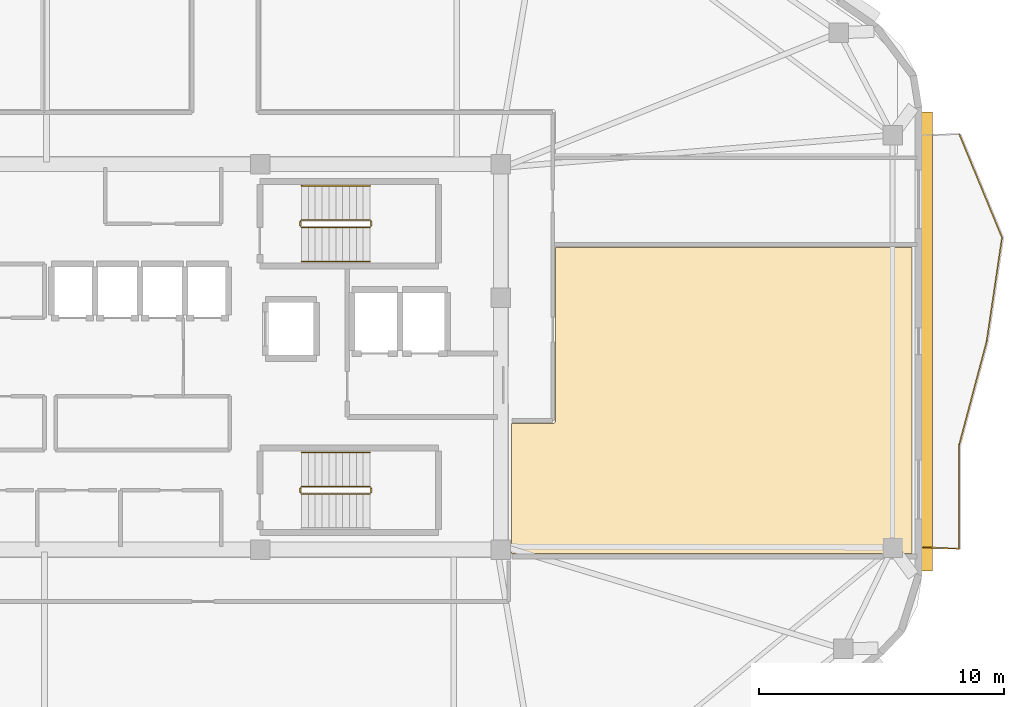
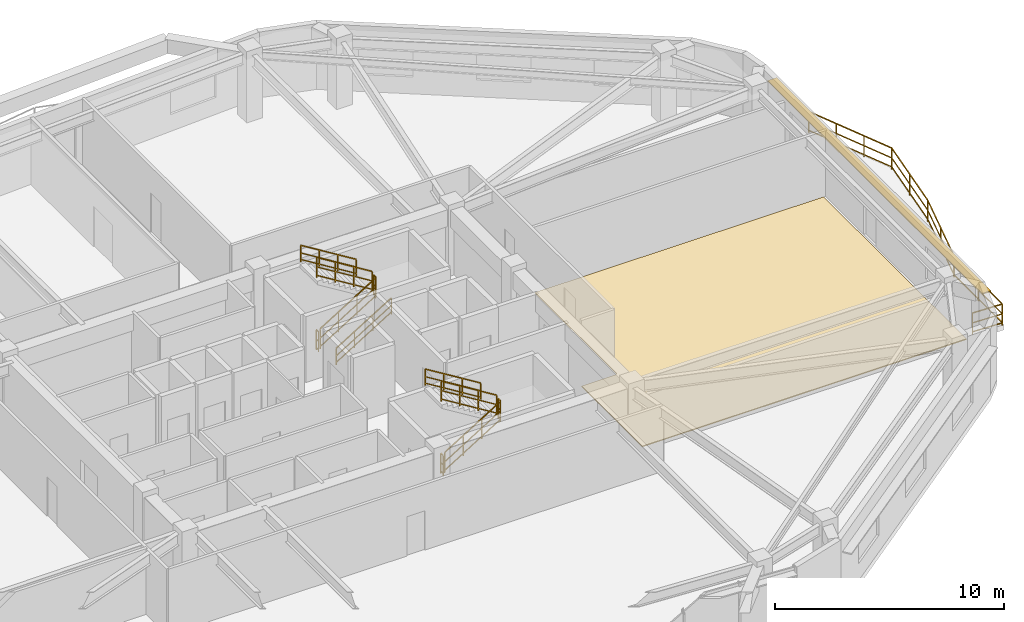
# One storey, part 11 of 12: 16 railings, 1 covering, 1 shading device.
"""IFC4 building model written with IfcOpenShell, lengths in metres."""

from ifc_helpers import new_model, si_unit, direction, frame, origin, origin_2d, place, context, subcontext, project, spatial, polyline, rectangle, outline, extrude, material, layer, layer_set, type_object, element, save


model = new_model("IFC4")

# Units and contexts
model_context = context("Model", 3, precision=1e-05, world=origin(), true_north=direction((0.0, 1.0)))
body_context = subcontext(model_context, "Body", "Model", "MODEL_VIEW")
ifc_project = project(units=[si_unit("LENGTHUNIT", "METRE"), si_unit("AREAUNIT", "SQUARE_METRE"), si_unit("VOLUMEUNIT", "CUBIC_METRE"), si_unit("PLANEANGLEUNIT", "RADIAN"), si_unit("MASSUNIT", "GRAM", prefix="KILO")], contexts=[model_context])

# Site, building, storey
site_placement = place(None, origin())
site = spatial("IfcSite", under=ifc_project, at=site_placement, CompositionType="ELEMENT")
building_placement = place(site_placement, origin())
building = spatial("IfcBuilding", under=site, at=building_placement, Name="Zulverin Broadcast Headquarters", CompositionType="ELEMENT")
storey_placement = place(building_placement, frame((0.0, 0.0, 255.39990234375)))
storey = spatial("IfcBuildingStorey", under=building, at=storey_placement, Name="L65", CompositionType="ELEMENT", Elevation=255.39990234375)

# Covering
ifc_material_1 = material(Name="Anti-static broadcast raised access flooring", Category="stone")
ifc_layer_1 = layer(ifc_material_1, 0.050048828125, Name="Anti-static broadcast raised access flooring", Category="stone")
ifc_layer_set_1 = layer_set([ifc_layer_1], Name="Anti-static broadcast raised access flooring")
covering_type = type_object("IfcCoveringType", Name="COV-FLR-RAISED", PredefinedType="FLOORING", material=ifc_layer_set_1)
covering_placement = place(storey_placement, origin())
element("IfcCovering", 1, at=covering_placement, inside=storey, type_object=covering_type, Name="L65 Broadcast Raised Access Flooring 02", PredefinedType="FLOORING", context=body_context, shape_type="SweptSolid", body=[
    extrude(outline(polyline([(65.10009765625, 17.172119140625), (65.10009765625, 29.679931640625), (50.52001953125, 29.679931640625), (50.52001953125, 22.60009765625), (50.52001953125, 22.587890625), (50.51611328125, 22.575927734375), (50.51611328125, 22.56396484375), (50.511962890625, 22.555908203125), (50.50390625, 22.5439453125), (50.5, 22.531982421875), (50.491943359375, 22.52392578125), (50.48388671875, 22.51611328125), (50.47607421875, 22.508056640625), (50.468017578125, 22.5), (50.4560546875, 22.49609375), (50.444091796875, 22.488037109375), (50.43603515625, 22.48388671875), (50.424072265625, 22.48388671875), (50.412109375, 22.47998046875), (50.39990234375, 22.47998046875), (48.719970703125, 22.47998046875), (48.719970703125, 17.172119140625), (65.10009765625, 17.172119140625)])), origin(), (0.0, 0.0, 1.0), 0.050048828125),
])

# Railings
ifc_material_2 = material(Name="Brushed stainless steel & laminated glass balustrade", Category="steel")
railing_type_1 = type_object("IfcRailingType", Name="RL-GUARD-1150", PredefinedType="GUARDRAIL", material=ifc_material_2)
railing_1_placement = place(storey_placement, frame((65.5400390625, 17.417724609375, 0.0)))
element("IfcRailing", 2, at=railing_1_placement, inside=storey, type_object=railing_type_1, Name="L65 Vertical-Forest Balcony Guardrail BAL_E Segment 01", PredefinedType="GUARDRAIL", context=body_context, shape_type="SweptSolid", body=[
    extrude(rectangle(XDim=0.048095703125, YDim=0.048095703125, at=origin_2d()), frame((0.0, 0.0, 1.1259765625), z_axis=(0.99918088253, -0.040466825742, 0.0), x_axis=(0.040466825742, 0.99918088253, 0.0)), (0.0, 0.0, 1.0), 1.466064453125),
    extrude(rectangle(XDim=0.0419921875, YDim=0.0419921875, at=origin_2d()), frame((0.0, 0.0, 0.597900390625), z_axis=(0.99918088253, -0.040466825742, 0.0), x_axis=(0.040466825742, 0.99918088253, 0.0)), (0.0, 0.0, 1.0), 1.466064453125),
    extrude(rectangle(XDim=0.0419921875, YDim=0.0419921875, at=origin_2d()), frame((0.0, 0.0, 0.1201171875), z_axis=(0.99918088253, -0.040466825742, 0.0), x_axis=(0.040466825742, 0.99918088253, 0.0)), (0.0, 0.0, 1.0), 1.466064453125),
    extrude(rectangle(XDim=0.0419921875, YDim=0.0419921875, at=origin_2d()), origin(), (0.0, 0.0, 1.0), 1.101806640625),
    extrude(rectangle(XDim=0.0419921875, YDim=0.0419921875, at=origin_2d()), frame((1.46484375, -0.059326171875, 0.0)), (0.0, 0.0, 1.0), 1.101806640625),
])
railing_2_placement = place(storey_placement, frame((67.02001953125, 17.372802734375, 0.0)))
element("IfcRailing", 3, at=railing_2_placement, inside=storey, type_object=railing_type_1, Name="L65 Vertical-Forest Balcony Guardrail BAL_E Segment 02", PredefinedType="GUARDRAIL", context=body_context, shape_type="SweptSolid", body=[
    extrude(rectangle(XDim=0.048095703125, YDim=0.048095703125, at=origin_2d()), frame((0.0, 0.0, 1.1259765625), z_axis=(0.0, 1.0, 0.0), x_axis=(-1.0, 0.0, 0.0)), (0.0, 0.0, 1.0), 4.2119140625),
    extrude(rectangle(XDim=0.0419921875, YDim=0.0419921875, at=origin_2d()), frame((0.0, 0.0, 0.597900390625), z_axis=(0.0, 1.0, 0.0), x_axis=(-1.0, 0.0, 0.0)), (0.0, 0.0, 1.0), 4.2119140625),
    extrude(rectangle(XDim=0.0419921875, YDim=0.0419921875, at=origin_2d()), frame((0.0, 0.0, 0.1201171875), z_axis=(0.0, 1.0, 0.0), x_axis=(-1.0, 0.0, 0.0)), (0.0, 0.0, 1.0), 4.2119140625),
    extrude(rectangle(XDim=0.0419921875, YDim=0.0419921875, at=origin_2d()), origin(), (0.0, 0.0, 1.0), 1.101806640625),
    extrude(rectangle(XDim=0.0419921875, YDim=0.0419921875, at=origin_2d()), frame((0.0, 2.10595703125, 0.0)), (0.0, 0.0, 1.0), 1.101806640625),
    extrude(rectangle(XDim=0.0419921875, YDim=0.0419921875, at=origin_2d()), frame((0.0, 4.2119140625, 0.0)), (0.0, 0.0, 1.0), 1.101806640625),
])
railing_3_placement = place(storey_placement, frame((67.02392578125, 21.6142578125, 0.0)))
element("IfcRailing", 4, at=railing_3_placement, inside=storey, type_object=railing_type_1, Name="L65 Vertical-Forest Balcony Guardrail BAL_E Segment 03", PredefinedType="GUARDRAIL", context=body_context, shape_type="SweptSolid", body=[
    extrude(rectangle(XDim=0.048095703125, YDim=0.048095703125, at=origin_2d()), frame((0.0, 0.0, 1.1259765625), z_axis=(0.256689913081, 0.966493811942, 0.0), x_axis=(-0.966493811942, 0.256689913081, 0.0)), (0.0, 0.0, 1.0), 4.35888671875),
    extrude(rectangle(XDim=0.0419921875, YDim=0.0419921875, at=origin_2d()), frame((0.0, 0.0, 0.597900390625), z_axis=(0.256689913081, 0.966493811942, 0.0), x_axis=(-0.966493811942, 0.256689913081, 0.0)), (0.0, 0.0, 1.0), 4.35888671875),
    extrude(rectangle(XDim=0.0419921875, YDim=0.0419921875, at=origin_2d()), frame((0.0, 0.0, 0.1201171875), z_axis=(0.256689913081, 0.966493811942, 0.0), x_axis=(-0.966493811942, 0.256689913081, 0.0)), (0.0, 0.0, 1.0), 4.35888671875),
    extrude(rectangle(XDim=0.0419921875, YDim=0.0419921875, at=origin_2d()), origin(), (0.0, 0.0, 1.0), 1.101806640625),
    extrude(rectangle(XDim=0.0419921875, YDim=0.0419921875, at=origin_2d()), frame((0.5595703125, 2.1064453125, 0.0)), (0.0, 0.0, 1.0), 1.101806640625),
    extrude(rectangle(XDim=0.0419921875, YDim=0.0419921875, at=origin_2d()), frame((1.118896484375, 4.212890625, 0.0)), (0.0, 0.0, 1.0), 1.101806640625),
])
railing_4_placement = place(storey_placement, frame((68.14892578125, 25.8564453125, 0.0)))
element("IfcRailing", 5, at=railing_4_placement, inside=storey, type_object=railing_type_1, Name="L65 Vertical-Forest Balcony Guardrail BAL_E Segment 04", PredefinedType="GUARDRAIL", context=body_context, shape_type="SweptSolid", body=[
    extrude(rectangle(XDim=0.048095703125, YDim=0.048095703125, at=origin_2d()), frame((0.0, 0.0, 1.1259765625), z_axis=(0.146259828439, 0.989246209285, 0.0), x_axis=(-0.989246209285, 0.146259828439, 0.0)), (0.0, 0.0, 1.0), 4.25830078125),
    extrude(rectangle(XDim=0.0419921875, YDim=0.0419921875, at=origin_2d()), frame((0.0, 0.0, 0.597900390625), z_axis=(0.146259828439, 0.989246209285, 0.0), x_axis=(-0.989246209285, 0.146259828439, 0.0)), (0.0, 0.0, 1.0), 4.25830078125),
    extrude(rectangle(XDim=0.0419921875, YDim=0.0419921875, at=origin_2d()), frame((0.0, 0.0, 0.1201171875), z_axis=(0.146259828439, 0.989246209285, 0.0), x_axis=(-0.989246209285, 0.146259828439, 0.0)), (0.0, 0.0, 1.0), 4.25830078125),
    extrude(rectangle(XDim=0.0419921875, YDim=0.0419921875, at=origin_2d()), origin(), (0.0, 0.0, 1.0), 1.101806640625),
    extrude(rectangle(XDim=0.0419921875, YDim=0.0419921875, at=origin_2d()), frame((0.3115234375, 2.106201171875, 0.0)), (0.0, 0.0, 1.0), 1.101806640625),
    extrude(rectangle(XDim=0.0419921875, YDim=0.0419921875, at=origin_2d()), frame((0.622802734375, 4.21240234375, 0.0)), (0.0, 0.0, 1.0), 1.101806640625),
])
railing_5_placement = place(storey_placement, frame((68.768310546875, 30.09765625, 0.0)))
element("IfcRailing", 6, at=railing_5_placement, inside=storey, type_object=railing_type_1, Name="L65 Vertical-Forest Balcony Guardrail BAL_E Segment 05", PredefinedType="GUARDRAIL", context=body_context, shape_type="SweptSolid", body=[
    extrude(rectangle(XDim=0.048095703125, YDim=0.048095703125, at=origin_2d()), frame((0.0, 0.0, 1.1259765625), z_axis=(-0.382146875337, 0.924101599214, 0.0), x_axis=(-0.924101599214, -0.382146875337, 0.0)), (0.0, 0.0, 1.0), 4.560302734375),
    extrude(rectangle(XDim=0.0419921875, YDim=0.0419921875, at=origin_2d()), frame((0.0, 0.0, 0.597900390625), z_axis=(-0.382146875337, 0.924101599214, 0.0), x_axis=(-0.924101599214, -0.382146875337, 0.0)), (0.0, 0.0, 1.0), 4.560302734375),
    extrude(rectangle(XDim=0.0419921875, YDim=0.0419921875, at=origin_2d()), frame((0.0, 0.0, 0.1201171875), z_axis=(-0.382146875337, 0.924101599214, 0.0), x_axis=(-0.924101599214, -0.382146875337, 0.0)), (0.0, 0.0, 1.0), 4.560302734375),
    extrude(rectangle(XDim=0.0419921875, YDim=0.0419921875, at=origin_2d()), origin(), (0.0, 0.0, 1.0), 1.101806640625),
    extrude(rectangle(XDim=0.0419921875, YDim=0.0419921875, at=origin_2d()), frame((-0.580810546875, 1.40478515625, 0.0)), (0.0, 0.0, 1.0), 1.101806640625),
    extrude(rectangle(XDim=0.0419921875, YDim=0.0419921875, at=origin_2d()), frame((-1.161865234375, 2.809326171875, 0.0)), (0.0, 0.0, 1.0), 1.101806640625),
    extrude(rectangle(XDim=0.0419921875, YDim=0.0419921875, at=origin_2d()), frame((-1.74267578125, 4.214111328125, 0.0)), (0.0, 0.0, 1.0), 1.101806640625),
])
ifc_material_3 = material(Name="Painted galvanized steel tubular guardrail S355JR", Category="steel")
railing_type_2 = type_object("IfcRailingType", Name="RL-ST-GUARD", PredefinedType="GUARDRAIL", material=ifc_material_3)
railing_6_placement = place(storey_placement, frame((40.1298828125, 30.5, 0.1728515625)))
element("IfcRailing", 7, at=railing_6_placement, inside=storey, type_object=railing_type_2, Name="L65 ST-1 stair guard 1", PredefinedType="GUARDRAIL", context=body_context, shape_type="SweptSolid", body=[
    extrude(rectangle(XDim=0.048095703125, YDim=0.048095703125, at=origin_2d()), frame((0.0, 0.0, 1.076171875), z_axis=(0.851089632645, 0.0, 0.525020415988), x_axis=(0.0, 1.0, 0.0)), (0.0, 0.0, 1.0), 3.2900390625),
    extrude(rectangle(XDim=0.0419921875, YDim=0.0419921875, at=origin_2d()), frame((0.0, 0.0, 0.572021484375), z_axis=(0.851089632645, 0.0, 0.525020415988), x_axis=(0.0, 1.0, 0.0)), (0.0, 0.0, 1.0), 3.2900390625),
    extrude(rectangle(XDim=0.0419921875, YDim=0.0419921875, at=origin_2d()), frame((0.0, 0.0, 0.1201171875), z_axis=(0.851089632645, 0.0, 0.525020415988), x_axis=(0.0, 1.0, 0.0)), (0.0, 0.0, 1.0), 3.2900390625),
    extrude(rectangle(XDim=0.0419921875, YDim=0.0419921875, at=origin_2d()), origin(), (0.0, 0.0, 1.0), 1.052001953125),
    extrude(rectangle(XDim=0.0419921875, YDim=0.0419921875, at=origin_2d()), frame((0.933349609375, 0.0, 0.57568359375)), (0.0, 0.0, 1.0), 1.052001953125),
    extrude(rectangle(XDim=0.0419921875, YDim=0.0419921875, at=origin_2d()), frame((1.86669921875, 0.0, 1.151611328125)), (0.0, 0.0, 1.0), 1.052001953125),
    extrude(rectangle(XDim=0.0419921875, YDim=0.0419921875, at=origin_2d()), frame((2.800048828125, 0.0, 1.727294921875)), (0.0, 0.0, 1.0), 1.052001953125),
])
railing_7_placement = place(storey_placement, frame((42.97998046875, 30.550048828125, 1.900146484375)))
element("IfcRailing", 8, at=railing_7_placement, inside=storey, type_object=railing_type_2, Name="L65 ST-1 stair guard 2", PredefinedType="GUARDRAIL", context=body_context, shape_type="SweptSolid", body=[
    extrude(rectangle(XDim=0.048095703125, YDim=0.048095703125, at=origin_2d()), frame((0.0, 0.0, 1.076171875), z_axis=(0.0, 1.0, 0.0), x_axis=(-1.0, 0.0, 0.0)), (0.0, 0.0, 1.0), 0.199951171875),
    extrude(rectangle(XDim=0.0419921875, YDim=0.0419921875, at=origin_2d()), frame((0.0, 0.0, 0.572021484375), z_axis=(0.0, 1.0, 0.0), x_axis=(-1.0, 0.0, 0.0)), (0.0, 0.0, 1.0), 0.199951171875),
    extrude(rectangle(XDim=0.0419921875, YDim=0.0419921875, at=origin_2d()), frame((0.0, 0.0, 0.1201171875), z_axis=(0.0, 1.0, 0.0), x_axis=(-1.0, 0.0, 0.0)), (0.0, 0.0, 1.0), 0.199951171875),
    extrude(rectangle(XDim=0.0419921875, YDim=0.0419921875, at=origin_2d()), origin(), (0.0, 0.0, 1.0), 1.052001953125),
    extrude(rectangle(XDim=0.0419921875, YDim=0.0419921875, at=origin_2d()), frame((0.0, 0.199951171875, 0.0)), (0.0, 0.0, 1.0), 1.052001953125),
])
railing_8_placement = place(storey_placement, frame((42.929931640625, 30.800048828125, 2.07275390625)))
element("IfcRailing", 9, at=railing_8_placement, inside=storey, type_object=railing_type_2, Name="L65 ST-1 stair guard 3", PredefinedType="GUARDRAIL", context=body_context, shape_type="SweptSolid", body=[
    extrude(rectangle(XDim=0.048095703125, YDim=0.048095703125, at=origin_2d()), frame((0.0, 0.0, 1.076171875), z_axis=(-0.851089632645, 0.0, 0.525020415988), x_axis=(0.0, -1.0, 0.0)), (0.0, 0.0, 1.0), 3.2900390625),
    extrude(rectangle(XDim=0.0419921875, YDim=0.0419921875, at=origin_2d()), frame((0.0, 0.0, 0.572021484375), z_axis=(-0.851089632645, 0.0, 0.525020415988), x_axis=(0.0, -1.0, 0.0)), (0.0, 0.0, 1.0), 3.2900390625),
    extrude(rectangle(XDim=0.0419921875, YDim=0.0419921875, at=origin_2d()), frame((0.0, 0.0, 0.1201171875), z_axis=(-0.851089632645, 0.0, 0.525020415988), x_axis=(0.0, -1.0, 0.0)), (0.0, 0.0, 1.0), 3.2900390625),
    extrude(rectangle(XDim=0.0419921875, YDim=0.0419921875, at=origin_2d()), origin(), (0.0, 0.0, 1.0), 1.052001953125),
    extrude(rectangle(XDim=0.0419921875, YDim=0.0419921875, at=origin_2d()), frame((-0.933349609375, 0.0, 0.57568359375)), (0.0, 0.0, 1.0), 1.052001953125),
    extrude(rectangle(XDim=0.0419921875, YDim=0.0419921875, at=origin_2d()), frame((-1.86669921875, 0.0, 1.151611328125)), (0.0, 0.0, 1.0), 1.052001953125),
    extrude(rectangle(XDim=0.0419921875, YDim=0.0419921875, at=origin_2d()), frame((-2.800048828125, 0.0, 1.727294921875)), (0.0, 0.0, 1.0), 1.052001953125),
])
railing_9_placement = place(storey_placement, frame((40.080078125, 30.550048828125, 0.0)))
element("IfcRailing", 10, at=railing_9_placement, inside=storey, type_object=railing_type_2, Name="L65 ST-1 stair guard 4", PredefinedType="GUARDRAIL", context=body_context, shape_type="SweptSolid", body=[
    extrude(rectangle(XDim=0.048095703125, YDim=0.048095703125, at=origin_2d()), frame((0.0, 0.0, 1.076171875), z_axis=(0.0, 1.0, 0.0), x_axis=(-1.0, 0.0, 0.0)), (0.0, 0.0, 1.0), 0.199951171875),
    extrude(rectangle(XDim=0.0419921875, YDim=0.0419921875, at=origin_2d()), frame((0.0, 0.0, 0.572021484375), z_axis=(0.0, 1.0, 0.0), x_axis=(-1.0, 0.0, 0.0)), (0.0, 0.0, 1.0), 0.199951171875),
    extrude(rectangle(XDim=0.0419921875, YDim=0.0419921875, at=origin_2d()), frame((0.0, 0.0, 0.1201171875), z_axis=(0.0, 1.0, 0.0), x_axis=(-1.0, 0.0, 0.0)), (0.0, 0.0, 1.0), 0.199951171875),
    extrude(rectangle(XDim=0.0419921875, YDim=0.0419921875, at=origin_2d()), origin(), (0.0, 0.0, 1.0), 1.052001953125),
    extrude(rectangle(XDim=0.0419921875, YDim=0.0419921875, at=origin_2d()), frame((0.0, 0.199951171875, 0.0)), (0.0, 0.0, 1.0), 1.052001953125),
])
railing_10_placement = place(storey_placement, frame((40.1298828125, 19.60009765625, 0.1728515625)))
element("IfcRailing", 11, at=railing_10_placement, inside=storey, type_object=railing_type_2, Name="L65 ST-2 stair guard 1", PredefinedType="GUARDRAIL", context=body_context, shape_type="SweptSolid", body=[
    extrude(rectangle(XDim=0.048095703125, YDim=0.048095703125, at=origin_2d()), frame((0.0, 0.0, 1.076171875), z_axis=(0.851089632645, 0.0, 0.525020415988), x_axis=(0.0, 1.0, 0.0)), (0.0, 0.0, 1.0), 3.2900390625),
    extrude(rectangle(XDim=0.0419921875, YDim=0.0419921875, at=origin_2d()), frame((0.0, 0.0, 0.572021484375), z_axis=(0.851089632645, 0.0, 0.525020415988), x_axis=(0.0, 1.0, 0.0)), (0.0, 0.0, 1.0), 3.2900390625),
    extrude(rectangle(XDim=0.0419921875, YDim=0.0419921875, at=origin_2d()), frame((0.0, 0.0, 0.1201171875), z_axis=(0.851089632645, 0.0, 0.525020415988), x_axis=(0.0, 1.0, 0.0)), (0.0, 0.0, 1.0), 3.2900390625),
    extrude(rectangle(XDim=0.0419921875, YDim=0.0419921875, at=origin_2d()), origin(), (0.0, 0.0, 1.0), 1.052001953125),
    extrude(rectangle(XDim=0.0419921875, YDim=0.0419921875, at=origin_2d()), frame((0.933349609375, 0.0, 0.57568359375)), (0.0, 0.0, 1.0), 1.052001953125),
    extrude(rectangle(XDim=0.0419921875, YDim=0.0419921875, at=origin_2d()), frame((1.86669921875, 0.0, 1.151611328125)), (0.0, 0.0, 1.0), 1.052001953125),
    extrude(rectangle(XDim=0.0419921875, YDim=0.0419921875, at=origin_2d()), frame((2.800048828125, 0.0, 1.727294921875)), (0.0, 0.0, 1.0), 1.052001953125),
])
railing_11_placement = place(storey_placement, frame((42.97998046875, 19.64990234375, 1.900146484375)))
element("IfcRailing", 12, at=railing_11_placement, inside=storey, type_object=railing_type_2, Name="L65 ST-2 stair guard 2", PredefinedType="GUARDRAIL", context=body_context, shape_type="SweptSolid", body=[
    extrude(rectangle(XDim=0.048095703125, YDim=0.048095703125, at=origin_2d()), frame((0.0, 0.0, 1.076171875), z_axis=(0.0, 1.0, 0.0), x_axis=(-1.0, 0.0, 0.0)), (0.0, 0.0, 1.0), 0.2001953125),
    extrude(rectangle(XDim=0.0419921875, YDim=0.0419921875, at=origin_2d()), frame((0.0, 0.0, 0.572021484375), z_axis=(0.0, 1.0, 0.0), x_axis=(-1.0, 0.0, 0.0)), (0.0, 0.0, 1.0), 0.2001953125),
    extrude(rectangle(XDim=0.0419921875, YDim=0.0419921875, at=origin_2d()), frame((0.0, 0.0, 0.1201171875), z_axis=(0.0, 1.0, 0.0), x_axis=(-1.0, 0.0, 0.0)), (0.0, 0.0, 1.0), 0.2001953125),
    extrude(rectangle(XDim=0.0419921875, YDim=0.0419921875, at=origin_2d()), origin(), (0.0, 0.0, 1.0), 1.052001953125),
    extrude(rectangle(XDim=0.0419921875, YDim=0.0419921875, at=origin_2d()), frame((0.0, 0.2001953125, 0.0)), (0.0, 0.0, 1.0), 1.052001953125),
])
railing_12_placement = place(storey_placement, frame((42.929931640625, 19.89990234375, 2.07275390625)))
element("IfcRailing", 13, at=railing_12_placement, inside=storey, type_object=railing_type_2, Name="L65 ST-2 stair guard 3", PredefinedType="GUARDRAIL", context=body_context, shape_type="SweptSolid", body=[
    extrude(rectangle(XDim=0.048095703125, YDim=0.048095703125, at=origin_2d()), frame((0.0, 0.0, 1.076171875), z_axis=(-0.851089632645, 0.0, 0.525020415988), x_axis=(0.0, -1.0, 0.0)), (0.0, 0.0, 1.0), 3.2900390625),
    extrude(rectangle(XDim=0.0419921875, YDim=0.0419921875, at=origin_2d()), frame((0.0, 0.0, 0.572021484375), z_axis=(-0.851089632645, 0.0, 0.525020415988), x_axis=(0.0, -1.0, 0.0)), (0.0, 0.0, 1.0), 3.2900390625),
    extrude(rectangle(XDim=0.0419921875, YDim=0.0419921875, at=origin_2d()), frame((0.0, 0.0, 0.1201171875), z_axis=(-0.851089632645, 0.0, 0.525020415988), x_axis=(0.0, -1.0, 0.0)), (0.0, 0.0, 1.0), 3.2900390625),
    extrude(rectangle(XDim=0.0419921875, YDim=0.0419921875, at=origin_2d()), origin(), (0.0, 0.0, 1.0), 1.052001953125),
    extrude(rectangle(XDim=0.0419921875, YDim=0.0419921875, at=origin_2d()), frame((-0.933349609375, 0.0, 0.57568359375)), (0.0, 0.0, 1.0), 1.052001953125),
    extrude(rectangle(XDim=0.0419921875, YDim=0.0419921875, at=origin_2d()), frame((-1.86669921875, 0.0, 1.151611328125)), (0.0, 0.0, 1.0), 1.052001953125),
    extrude(rectangle(XDim=0.0419921875, YDim=0.0419921875, at=origin_2d()), frame((-2.800048828125, 0.0, 1.727294921875)), (0.0, 0.0, 1.0), 1.052001953125),
])
railing_13_placement = place(storey_placement, frame((40.080078125, 19.64990234375, 0.0)))
element("IfcRailing", 14, at=railing_13_placement, inside=storey, type_object=railing_type_2, Name="L65 ST-2 stair guard 4", PredefinedType="GUARDRAIL", context=body_context, shape_type="SweptSolid", body=[
    extrude(rectangle(XDim=0.048095703125, YDim=0.048095703125, at=origin_2d()), frame((0.0, 0.0, 1.076171875), z_axis=(0.0, 1.0, 0.0), x_axis=(-1.0, 0.0, 0.0)), (0.0, 0.0, 1.0), 0.2001953125),
    extrude(rectangle(XDim=0.0419921875, YDim=0.0419921875, at=origin_2d()), frame((0.0, 0.0, 0.572021484375), z_axis=(0.0, 1.0, 0.0), x_axis=(-1.0, 0.0, 0.0)), (0.0, 0.0, 1.0), 0.2001953125),
    extrude(rectangle(XDim=0.0419921875, YDim=0.0419921875, at=origin_2d()), frame((0.0, 0.0, 0.1201171875), z_axis=(0.0, 1.0, 0.0), x_axis=(-1.0, 0.0, 0.0)), (0.0, 0.0, 1.0), 0.2001953125),
    extrude(rectangle(XDim=0.0419921875, YDim=0.0419921875, at=origin_2d()), origin(), (0.0, 0.0, 1.0), 1.052001953125),
    extrude(rectangle(XDim=0.0419921875, YDim=0.0419921875, at=origin_2d()), frame((0.0, 0.2001953125, 0.0)), (0.0, 0.0, 1.0), 1.052001953125),
])
ifc_material_4 = material(Name="Brushed stainless steel 48 mm handrail", Category="steel")
railing_type_3 = type_object("IfcRailingType", Name="RL-ST-HAND", PredefinedType="HANDRAIL", material=ifc_material_4)
railing_14_placement = place(storey_placement, frame((40.1298828125, 29.10009765625, 0.1728515625)))
element("IfcRailing", 15, at=railing_14_placement, inside=storey, type_object=railing_type_3, Name="L65 ST-1 stair handrail 1", PredefinedType="HANDRAIL", context=body_context, shape_type="SweptSolid", body=[
    extrude(rectangle(XDim=0.048095703125, YDim=0.048095703125, at=origin_2d()), frame((0.0, 0.0, 0.8759765625), z_axis=(0.851089632645, 0.0, 0.525020415988), x_axis=(0.0, 1.0, 0.0)), (0.0, 0.0, 1.0), 3.2900390625),
    extrude(rectangle(XDim=0.0419921875, YDim=0.0419921875, at=origin_2d()), frame((0.0, 0.0, 0.468017578125), z_axis=(0.851089632645, 0.0, 0.525020415988), x_axis=(0.0, 1.0, 0.0)), (0.0, 0.0, 1.0), 3.2900390625),
    extrude(rectangle(XDim=0.0419921875, YDim=0.0419921875, at=origin_2d()), frame((0.0, 0.0, 0.1201171875), z_axis=(0.851089632645, 0.0, 0.525020415988), x_axis=(0.0, 1.0, 0.0)), (0.0, 0.0, 1.0), 3.2900390625),
    extrude(rectangle(XDim=0.0419921875, YDim=0.0419921875, at=origin_2d()), origin(), (0.0, 0.0, 1.0), 0.851806640625),
    extrude(rectangle(XDim=0.0419921875, YDim=0.0419921875, at=origin_2d()), frame((0.933349609375, 0.0, 0.57568359375)), (0.0, 0.0, 1.0), 0.851806640625),
    extrude(rectangle(XDim=0.0419921875, YDim=0.0419921875, at=origin_2d()), frame((1.86669921875, 0.0, 1.151611328125)), (0.0, 0.0, 1.0), 0.851806640625),
    extrude(rectangle(XDim=0.0419921875, YDim=0.0419921875, at=origin_2d()), frame((2.800048828125, 0.0, 1.727294921875)), (0.0, 0.0, 1.0), 0.851806640625),
])
for number, where, name in (
    (16, (42.929931640625, 32.199951171875, 2.07275390625), "L65 ST-1 stair handrail 2"),
    (17, (42.929931640625, 21.300048828125, 2.07275390625), "L65 ST-2 stair handrail 2"),
):
    element("IfcRailing", number, at=place(storey_placement, frame(where)), inside=storey, type_object=railing_type_3, Name=name, PredefinedType="HANDRAIL", context=body_context, shape_type="SweptSolid", body=[
        extrude(rectangle(XDim=0.048095703125, YDim=0.048095703125, at=origin_2d()), frame((0.0, 0.0, 0.8759765625), z_axis=(-0.851089632645, 0.0, 0.525020415988), x_axis=(0.0, -1.0, 0.0)), (0.0, 0.0, 1.0), 3.2900390625),
        extrude(rectangle(XDim=0.0419921875, YDim=0.0419921875, at=origin_2d()), frame((0.0, 0.0, 0.468017578125), z_axis=(-0.851089632645, 0.0, 0.525020415988), x_axis=(0.0, -1.0, 0.0)), (0.0, 0.0, 1.0), 3.2900390625),
        extrude(rectangle(XDim=0.0419921875, YDim=0.0419921875, at=origin_2d()), frame((0.0, 0.0, 0.1201171875), z_axis=(-0.851089632645, 0.0, 0.525020415988), x_axis=(0.0, -1.0, 0.0)), (0.0, 0.0, 1.0), 3.2900390625),
        extrude(rectangle(XDim=0.0419921875, YDim=0.0419921875, at=origin_2d()), origin(), (0.0, 0.0, 1.0), 0.851806640625),
        extrude(rectangle(XDim=0.0419921875, YDim=0.0419921875, at=origin_2d()), frame((-0.933349609375, 0.0, 0.57568359375)), (0.0, 0.0, 1.0), 0.851806640625),
        extrude(rectangle(XDim=0.0419921875, YDim=0.0419921875, at=origin_2d()), frame((-1.86669921875, 0.0, 1.151611328125)), (0.0, 0.0, 1.0), 0.851806640625),
        extrude(rectangle(XDim=0.0419921875, YDim=0.0419921875, at=origin_2d()), frame((-2.800048828125, 0.0, 1.727294921875)), (0.0, 0.0, 1.0), 0.851806640625),
    ])

# Shading device
ifc_material_5 = material(Name="Anodized pale-metal aluminium sunshade", Category="aluminium")
ifc_layer_2 = layer(ifc_material_5, 0.06005859375, Name="Anodized pale-metal aluminium sunshade", Category="aluminium")
ifc_layer_set_2 = layer_set([ifc_layer_2], Name="Anodized pale-metal aluminium sunshade")
shading_device_type = type_object("IfcShadingDeviceType", Name="SS-01_PALE_METAL_ALUMINIUM_SUNSHADE", PredefinedType="USERDEFINED", material=ifc_layer_set_2)
shading_device_placement = place(storey_placement, frame((65.699951171875, 25.841796875, 2.7099609375), z_axis=(0.0, 0.0, 1.0), x_axis=(0.0, 1.0, 0.0)))
element("IfcShadingDevice", 18, at=shading_device_placement, inside=storey, type_object=shading_device_type, Name="L65 Horizontal Pale-Metal Sunshade Band 3", ObjectType="SUNSHADE", PredefinedType="USERDEFINED", context=body_context, shape_type="SweptSolid", body=[
    extrude(rectangle(XDim=18.76806640625, YDim=0.449951171875, at=origin_2d()), origin(), (0.0, 0.0, 1.0), 0.06005859375),
])

save(model, "model.ifc")
